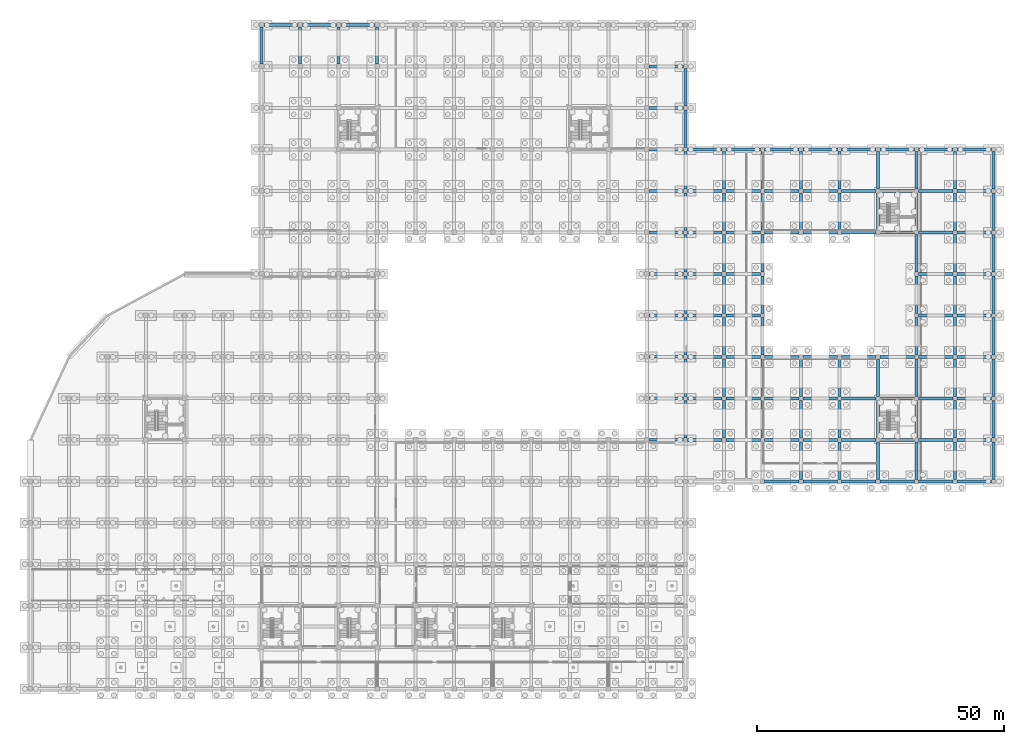
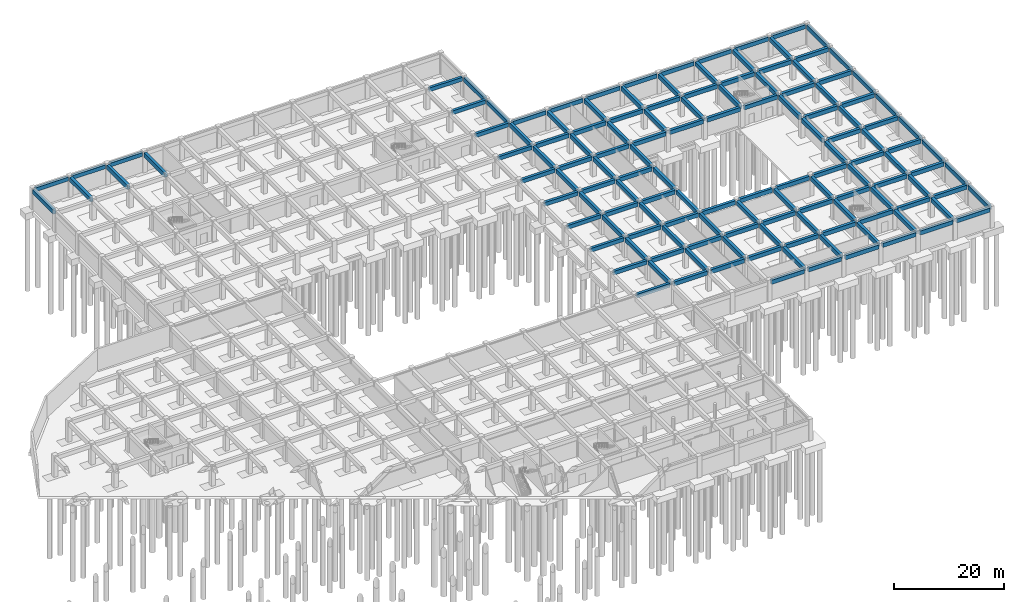
# One storey, part 15 of 31: 141 beams.
"""IFC4 building model written with IfcOpenShell, lengths in metres."""

from ifc_helpers import new_model, si_unit, direction, frame, origin, origin_2d, place, context, subcontext, project, spatial, rectangle, extrude, material, material_profile, profile_set, type_object, element, save


model = new_model("IFC4")

# Units and contexts
model_context = context("Model", 3, precision=1e-05, world=origin(), true_north=direction((0.0, 1.0)))
body_context = subcontext(model_context, "Body", "Model", "MODEL_VIEW")
ifc_project = project(units=[si_unit("LENGTHUNIT", "METRE"), si_unit("AREAUNIT", "SQUARE_METRE"), si_unit("VOLUMEUNIT", "CUBIC_METRE"), si_unit("PLANEANGLEUNIT", "RADIAN"), si_unit("MASSUNIT", "GRAM", prefix="KILO")], contexts=[model_context])

# Site, building, storey
site_placement = place(None, origin())
site = spatial("IfcSite", under=ifc_project, at=site_placement, CompositionType="ELEMENT")
building_placement = place(site_placement, origin())
building = spatial("IfcBuilding", under=site, at=building_placement, Name="Zizhar Promenade General Hospital", CompositionType="ELEMENT")
storey_placement = place(building_placement, frame((0.0, 0.0, -4.800048828125)))
storey = spatial("IfcBuildingStorey", under=building, at=storey_placement, Name="B1", CompositionType="ELEMENT", Elevation=-4.800048828125)

# Beams
ifc_material_1 = material(Name="Concrete C35/45", Category="concrete")
ifc_material_profile_1 = material_profile(ifc_material_1, rectangle(XDim=0.550048828125, YDim=0.85009765625, at=origin_2d()))
ifc_profile_set_1 = profile_set([ifc_material_profile_1], Name="Concrete C35/45")
beam_type_1 = type_object("IfcBeamType", Name="BM-RC-550x850", PredefinedType="BEAM", material=ifc_profile_set_1)
for number, where, z_axis, x_axis, name in (
    (1, (47.25, 134.39990234375, 4.045166015625), (1.0, 0.0, 0.0), (0.0, 1.0, 0.0), "Grid Beam X B1 (6-16)"),
    (2, (55.050048828125, 134.39990234375, 4.045166015625), (1.0, 0.0, 0.0), (0.0, 1.0, 0.0), "Grid Beam X B1 (7-16)"),
    (3, (62.85009765625, 134.39990234375, 4.045166015625), (1.0, 0.0, 0.0), (0.0, 1.0, 0.0), "Grid Beam X B1 (8-16)"),
):
    element("IfcBeam", number, at=place(storey_placement, frame(where, z_axis=z_axis, x_axis=x_axis)), inside=storey, type_object=beam_type_1, Name=name, PredefinedType="BEAM", context=body_context, shape_type="SweptSolid", body=[
        extrude(rectangle(XDim=0.550048828125, YDim=0.85009765625, at=origin_2d()), origin(), (0.0, 0.0, 1.0), 6.89990234375),
    ])
for number, where, z_axis, x_axis, name in (
    (4, (125.25, 50.39990234375, 4.045166015625), (1.0, 0.0, 0.0), (0.0, 1.0, 0.0), "Grid Beam X B1 (16-6)"),
    (5, (125.25, 58.800048828125, 4.045166015625), (1.0, 0.0, 0.0), (0.0, 1.0, 0.0), "Grid Beam X B1 (16-7)"),
    (6, (125.25, 67.199951171875, 4.045166015625), (1.0, 0.0, 0.0), (0.0, 1.0, 0.0), "Grid Beam X B1 (16-8)"),
    (7, (125.25, 75.60009765625, 4.045166015625), (1.0, 0.0, 0.0), (0.0, 1.0, 0.0), "Grid Beam X B1 (16-9)"),
    (8, (125.25, 84.0, 4.045166015625), (1.0, 0.0, 0.0), (0.0, 1.0, 0.0), "Grid Beam X B1 (16-10)"),
    (9, (125.25, 92.39990234375, 4.045166015625), (1.0, 0.0, 0.0), (0.0, 1.0, 0.0), "Grid Beam X B1 (16-11)"),
    (10, (125.25, 100.800048828125, 4.045166015625), (1.0, 0.0, 0.0), (0.0, 1.0, 0.0), "Grid Beam X B1 (16-12)"),
    (11, (125.25, 109.199951171875, 4.045166015625), (1.0, 0.0, 0.0), (0.0, 1.0, 0.0), "Grid Beam X B1 (16-13)"),
    (12, (125.25, 117.60009765625, 4.045166015625), (1.0, 0.0, 0.0), (0.0, 1.0, 0.0), "Grid Beam X B1 (16-14)"),
    (13, (125.25, 126.0, 4.045166015625), (1.0, 0.0, 0.0), (0.0, 1.0, 0.0), "Grid Beam X B1 (16-15)"),
):
    element("IfcBeam", number, at=place(storey_placement, frame(where, z_axis=z_axis, x_axis=x_axis)), inside=storey, type_object=beam_type_1, Name=name, PredefinedType="BEAM", context=body_context, shape_type="SweptSolid", body=[
        extrude(rectangle(XDim=0.550048828125, YDim=0.85009765625, at=origin_2d()), origin(), (0.0, 0.0, 1.0), 6.925048828125),
    ])
ifc_material_2 = material(Name="Concrete C35/45", Category="concrete")
ifc_material_profile_2 = material_profile(ifc_material_2, rectangle(XDim=0.580078125, YDim=0.89990234375, at=origin_2d()))
ifc_profile_set_2 = profile_set([ifc_material_profile_2], Name="Concrete C35/45")
beam_type_2 = type_object("IfcBeamType", Name="BM-RC-580x900", PredefinedType="BEAM", material=ifc_profile_set_2)
for number, where, z_axis, x_axis, name in (
    (14, (133.02490234375, 50.39990234375, 4.02001953125), (1.0, 0.0, 0.0), (0.0, 1.0, 0.0), "Grid Beam X B1 (17-6)"),
    (15, (133.02490234375, 58.800048828125, 4.02001953125), (1.0, 0.0, 0.0), (0.0, 1.0, 0.0), "Grid Beam X B1 (17-7)"),
    (16, (133.02490234375, 67.199951171875, 4.02001953125), (1.0, 0.0, 0.0), (0.0, 1.0, 0.0), "Grid Beam X B1 (17-8)"),
    (17, (133.02490234375, 75.60009765625, 4.02001953125), (1.0, 0.0, 0.0), (0.0, 1.0, 0.0), "Grid Beam X B1 (17-9)"),
    (18, (133.02490234375, 84.0, 4.02001953125), (1.0, 0.0, 0.0), (0.0, 1.0, 0.0), "Grid Beam X B1 (17-10)"),
    (19, (133.02490234375, 92.39990234375, 4.02001953125), (1.0, 0.0, 0.0), (0.0, 1.0, 0.0), "Grid Beam X B1 (17-11)"),
    (20, (133.02490234375, 100.800048828125, 4.02001953125), (1.0, 0.0, 0.0), (0.0, 1.0, 0.0), "Grid Beam X B1 (17-12)"),
    (21, (133.02490234375, 109.199951171875, 4.02001953125), (1.0, 0.0, 0.0), (0.0, 1.0, 0.0), "Grid Beam X B1 (17-13)"),
):
    element("IfcBeam", number, at=place(storey_placement, frame(where, z_axis=z_axis, x_axis=x_axis)), inside=storey, type_object=beam_type_2, Name=name, PredefinedType="BEAM", context=body_context, shape_type="SweptSolid", body=[
        extrude(rectangle(XDim=0.580078125, YDim=0.89990234375, at=origin_2d()), origin(), (0.0, 0.0, 1.0), 6.9501953125),
    ])
for number, where, z_axis, x_axis, name in (
    (22, (140.824951171875, 50.39990234375, 4.02001953125), (1.0, 0.0, 0.0), (0.0, 1.0, 0.0), "Grid Beam X B1 (18-6)"),
    (23, (140.824951171875, 58.800048828125, 4.02001953125), (1.0, 0.0, 0.0), (0.0, 1.0, 0.0), "Grid Beam X B1 (18-7)"),
    (24, (140.824951171875, 67.199951171875, 4.02001953125), (1.0, 0.0, 0.0), (0.0, 1.0, 0.0), "Grid Beam X B1 (18-8)"),
    (25, (140.824951171875, 75.60009765625, 4.02001953125), (1.0, 0.0, 0.0), (0.0, 1.0, 0.0), "Grid Beam X B1 (18-9)"),
    (26, (140.824951171875, 84.0, 4.02001953125), (1.0, 0.0, 0.0), (0.0, 1.0, 0.0), "Grid Beam X B1 (18-10)"),
    (27, (140.824951171875, 92.39990234375, 4.02001953125), (1.0, 0.0, 0.0), (0.0, 1.0, 0.0), "Grid Beam X B1 (18-11)"),
    (28, (140.824951171875, 100.800048828125, 4.02001953125), (1.0, 0.0, 0.0), (0.0, 1.0, 0.0), "Grid Beam X B1 (18-12)"),
    (29, (140.824951171875, 109.199951171875, 4.02001953125), (1.0, 0.0, 0.0), (0.0, 1.0, 0.0), "Grid Beam X B1 (18-13)"),
    (30, (148.625, 42.0, 4.02001953125), (1.0, 0.0, 0.0), (0.0, 1.0, 0.0), "Grid Beam X B1 (19-5)"),
    (31, (148.625, 50.39990234375, 4.02001953125), (1.0, 0.0, 0.0), (0.0, 1.0, 0.0), "Grid Beam X B1 (19-6)"),
    (32, (148.625, 58.800048828125, 4.02001953125), (1.0, 0.0, 0.0), (0.0, 1.0, 0.0), "Grid Beam X B1 (19-7)"),
    (33, (148.625, 67.199951171875, 4.02001953125), (1.0, 0.0, 0.0), (0.0, 1.0, 0.0), "Grid Beam X B1 (19-8)"),
    (34, (148.625, 92.39990234375, 4.02001953125), (1.0, 0.0, 0.0), (0.0, 1.0, 0.0), "Grid Beam X B1 (19-11)"),
    (35, (148.625, 100.800048828125, 4.02001953125), (1.0, 0.0, 0.0), (0.0, 1.0, 0.0), "Grid Beam X B1 (19-12)"),
    (36, (148.625, 109.199951171875, 4.02001953125), (1.0, 0.0, 0.0), (0.0, 1.0, 0.0), "Grid Beam X B1 (19-13)"),
    (37, (156.425048828125, 42.0, 4.02001953125), (1.0, 0.0, 0.0), (0.0, 1.0, 0.0), "Grid Beam X B1 (20-5)"),
    (38, (156.425048828125, 50.39990234375, 4.02001953125), (1.0, 0.0, 0.0), (0.0, 1.0, 0.0), "Grid Beam X B1 (20-6)"),
    (39, (156.425048828125, 58.800048828125, 4.02001953125), (1.0, 0.0, 0.0), (0.0, 1.0, 0.0), "Grid Beam X B1 (20-7)"),
    (40, (156.425048828125, 67.199951171875, 4.02001953125), (1.0, 0.0, 0.0), (0.0, 1.0, 0.0), "Grid Beam X B1 (20-8)"),
    (41, (156.425048828125, 92.39990234375, 4.02001953125), (1.0, 0.0, 0.0), (0.0, 1.0, 0.0), "Grid Beam X B1 (20-11)"),
    (42, (156.425048828125, 100.800048828125, 4.02001953125), (1.0, 0.0, 0.0), (0.0, 1.0, 0.0), "Grid Beam X B1 (20-12)"),
    (43, (156.425048828125, 109.199951171875, 4.02001953125), (1.0, 0.0, 0.0), (0.0, 1.0, 0.0), "Grid Beam X B1 (20-13)"),
    (44, (164.22509765625, 42.0, 4.02001953125), (1.0, 0.0, 0.0), (0.0, 1.0, 0.0), "Grid Beam X B1 (21-5)"),
    (45, (164.22509765625, 50.39990234375, 4.02001953125), (1.0, 0.0, 0.0), (0.0, 1.0, 0.0), "Grid Beam X B1 (21-6)"),
    (46, (164.22509765625, 58.800048828125, 4.02001953125), (1.0, 0.0, 0.0), (0.0, 1.0, 0.0), "Grid Beam X B1 (21-7)"),
    (47, (164.22509765625, 67.199951171875, 4.02001953125), (1.0, 0.0, 0.0), (0.0, 1.0, 0.0), "Grid Beam X B1 (21-8)"),
    (48, (164.22509765625, 92.39990234375, 4.02001953125), (1.0, 0.0, 0.0), (0.0, 1.0, 0.0), "Grid Beam X B1 (21-11)"),
    (49, (164.22509765625, 100.800048828125, 4.02001953125), (1.0, 0.0, 0.0), (0.0, 1.0, 0.0), "Grid Beam X B1 (21-12)"),
    (50, (164.22509765625, 109.199951171875, 4.02001953125), (1.0, 0.0, 0.0), (0.0, 1.0, 0.0), "Grid Beam X B1 (21-13)"),
):
    element("IfcBeam", number, at=place(storey_placement, frame(where, z_axis=z_axis, x_axis=x_axis)), inside=storey, type_object=beam_type_2, Name=name, PredefinedType="BEAM", context=body_context, shape_type="SweptSolid", body=[
        extrude(rectangle(XDim=0.580078125, YDim=0.89990234375, at=origin_2d()), origin(), (0.0, 0.0, 1.0), 6.949951171875),
    ])
for number, where, z_axis, x_axis, name in (
    (51, (172.02490234375, 42.0, 4.02001953125), (1.0, 0.0, 0.0), (0.0, 1.0, 0.0), "Grid Beam X B1 (22-5)"),
    (52, (172.02490234375, 50.39990234375, 4.02001953125), (1.0, 0.0, 0.0), (0.0, 1.0, 0.0), "Grid Beam X B1 (22-6)"),
    (53, (172.02490234375, 58.800048828125, 4.02001953125), (1.0, 0.0, 0.0), (0.0, 1.0, 0.0), "Grid Beam X B1 (22-7)"),
    (54, (172.02490234375, 67.199951171875, 4.02001953125), (1.0, 0.0, 0.0), (0.0, 1.0, 0.0), "Grid Beam X B1 (22-8)"),
    (55, (172.02490234375, 92.39990234375, 4.02001953125), (1.0, 0.0, 0.0), (0.0, 1.0, 0.0), "Grid Beam X B1 (22-11)"),
    (56, (172.02490234375, 100.800048828125, 4.02001953125), (1.0, 0.0, 0.0), (0.0, 1.0, 0.0), "Grid Beam X B1 (22-12)"),
    (57, (172.02490234375, 109.199951171875, 4.02001953125), (1.0, 0.0, 0.0), (0.0, 1.0, 0.0), "Grid Beam X B1 (22-13)"),
):
    element("IfcBeam", number, at=place(storey_placement, frame(where, z_axis=z_axis, x_axis=x_axis)), inside=storey, type_object=beam_type_2, Name=name, PredefinedType="BEAM", context=body_context, shape_type="SweptSolid", body=[
        extrude(rectangle(XDim=0.580078125, YDim=0.89990234375, at=origin_2d()), origin(), (0.0, 0.0, 1.0), 6.9501953125),
    ])
for number, where, z_axis, x_axis, name in (
    (58, (179.824951171875, 42.0, 4.02001953125), (1.0, 0.0, 0.0), (0.0, 1.0, 0.0), "Grid Beam X B1 (23-5)"),
    (59, (179.824951171875, 50.39990234375, 4.02001953125), (1.0, 0.0, 0.0), (0.0, 1.0, 0.0), "Grid Beam X B1 (23-6)"),
    (60, (179.824951171875, 58.800048828125, 4.02001953125), (1.0, 0.0, 0.0), (0.0, 1.0, 0.0), "Grid Beam X B1 (23-7)"),
    (61, (179.824951171875, 67.199951171875, 4.02001953125), (1.0, 0.0, 0.0), (0.0, 1.0, 0.0), "Grid Beam X B1 (23-8)"),
    (62, (179.824951171875, 75.60009765625, 4.02001953125), (1.0, 0.0, 0.0), (0.0, 1.0, 0.0), "Grid Beam X B1 (23-9)"),
    (63, (179.824951171875, 84.0, 4.02001953125), (1.0, 0.0, 0.0), (0.0, 1.0, 0.0), "Grid Beam X B1 (23-10)"),
    (64, (179.824951171875, 92.39990234375, 4.02001953125), (1.0, 0.0, 0.0), (0.0, 1.0, 0.0), "Grid Beam X B1 (23-11)"),
    (65, (179.824951171875, 100.800048828125, 4.02001953125), (1.0, 0.0, 0.0), (0.0, 1.0, 0.0), "Grid Beam X B1 (23-12)"),
    (66, (179.824951171875, 109.199951171875, 4.02001953125), (1.0, 0.0, 0.0), (0.0, 1.0, 0.0), "Grid Beam X B1 (23-13)"),
    (67, (187.625, 42.0, 4.02001953125), (1.0, 0.0, 0.0), (0.0, 1.0, 0.0), "Grid Beam X B1 (24-5)"),
    (68, (187.625, 50.39990234375, 4.02001953125), (1.0, 0.0, 0.0), (0.0, 1.0, 0.0), "Grid Beam X B1 (24-6)"),
    (69, (187.625, 58.800048828125, 4.02001953125), (1.0, 0.0, 0.0), (0.0, 1.0, 0.0), "Grid Beam X B1 (24-7)"),
    (70, (187.625, 67.199951171875, 4.02001953125), (1.0, 0.0, 0.0), (0.0, 1.0, 0.0), "Grid Beam X B1 (24-8)"),
    (71, (187.625, 75.60009765625, 4.02001953125), (1.0, 0.0, 0.0), (0.0, 1.0, 0.0), "Grid Beam X B1 (24-9)"),
    (72, (187.625, 84.0, 4.02001953125), (1.0, 0.0, 0.0), (0.0, 1.0, 0.0), "Grid Beam X B1 (24-10)"),
    (73, (187.625, 92.39990234375, 4.02001953125), (1.0, 0.0, 0.0), (0.0, 1.0, 0.0), "Grid Beam X B1 (24-11)"),
    (74, (187.625, 100.800048828125, 4.02001953125), (1.0, 0.0, 0.0), (0.0, 1.0, 0.0), "Grid Beam X B1 (24-12)"),
    (75, (187.625, 109.199951171875, 4.02001953125), (1.0, 0.0, 0.0), (0.0, 1.0, 0.0), "Grid Beam X B1 (24-13)"),
):
    element("IfcBeam", number, at=place(storey_placement, frame(where, z_axis=z_axis, x_axis=x_axis)), inside=storey, type_object=beam_type_2, Name=name, PredefinedType="BEAM", context=body_context, shape_type="SweptSolid", body=[
        extrude(rectangle(XDim=0.580078125, YDim=0.89990234375, at=origin_2d()), origin(), (0.0, 0.0, 1.0), 6.949951171875),
    ])
ifc_material_3 = material(Name="Concrete C35/45", Category="concrete")
ifc_material_profile_3 = material_profile(ifc_material_3, rectangle(XDim=0.60009765625, YDim=0.949951171875, at=origin_2d()))
ifc_profile_set_3 = profile_set([ifc_material_profile_3], Name="Concrete C35/45")
beam_type_3 = type_object("IfcBeamType", Name="BM-RC-600x950", PredefinedType="BEAM", material=ifc_profile_set_3)
for number, where, z_axis, x_axis, name in (
    (76, (46.800048828125, 126.449951171875, 3.9951171875), (0.0, 1.0, 0.0), (-1.0, 0.0, 0.0), "Grid Beam Y B1 (6-15)"),
    (77, (54.60009765625, 126.449951171875, 3.9951171875), (0.0, 1.0, 0.0), (-1.0, 0.0, 0.0), "Grid Beam Y B1 (7-15)"),
    (78, (62.39990234375, 126.449951171875, 3.9951171875), (0.0, 1.0, 0.0), (-1.0, 0.0, 0.0), "Grid Beam Y B1 (8-15)"),
    (79, (70.199951171875, 126.449951171875, 3.9951171875), (0.0, 1.0, 0.0), (-1.0, 0.0, 0.0), "Grid Beam Y B1 (9-15)"),
):
    element("IfcBeam", number, at=place(storey_placement, frame(where, z_axis=z_axis, x_axis=x_axis)), inside=storey, type_object=beam_type_3, Name=name, PredefinedType="BEAM", context=body_context, shape_type="SweptSolid", body=[
        extrude(rectangle(XDim=0.60009765625, YDim=0.949951171875, at=origin_2d()), origin(), (0.0, 0.0, 1.0), 7.5),
    ])
beam_1_placement = place(storey_placement, frame((132.60009765625, 50.824951171875, 3.9951171875), z_axis=(0.0, 1.0, 0.0), x_axis=(-1.0, 0.0, 0.0)))
element("IfcBeam", 80, at=beam_1_placement, inside=storey, type_object=beam_type_3, Name="Grid Beam Y B1 (17-6)", PredefinedType="BEAM", context=body_context, shape_type="SweptSolid", body=[
    extrude(rectangle(XDim=0.60009765625, YDim=0.949951171875, at=origin_2d()), origin(), (0.0, 0.0, 1.0), 7.550048828125),
])
beam_2_placement = place(storey_placement, frame((132.60009765625, 59.22509765625, 3.9951171875), z_axis=(0.0, 1.0, 0.0), x_axis=(-1.0, 0.0, 0.0)))
element("IfcBeam", 81, at=beam_2_placement, inside=storey, type_object=beam_type_3, Name="Grid Beam Y B1 (17-7)", PredefinedType="BEAM", context=body_context, shape_type="SweptSolid", body=[
    extrude(rectangle(XDim=0.60009765625, YDim=0.949951171875, at=origin_2d()), origin(), (0.0, 0.0, 1.0), 7.5498046875),
])
for number, where, z_axis, x_axis, name in (
    (82, (132.60009765625, 67.625, 3.9951171875), (0.0, 1.0, 0.0), (-1.0, 0.0, 0.0), "Grid Beam Y B1 (17-8)"),
    (83, (132.60009765625, 76.02490234375, 3.9951171875), (0.0, 1.0, 0.0), (-1.0, 0.0, 0.0), "Grid Beam Y B1 (17-9)"),
    (84, (132.60009765625, 84.425048828125, 3.9951171875), (0.0, 1.0, 0.0), (-1.0, 0.0, 0.0), "Grid Beam Y B1 (17-10)"),
    (85, (132.60009765625, 92.824951171875, 3.9951171875), (0.0, 1.0, 0.0), (-1.0, 0.0, 0.0), "Grid Beam Y B1 (17-11)"),
):
    element("IfcBeam", number, at=place(storey_placement, frame(where, z_axis=z_axis, x_axis=x_axis)), inside=storey, type_object=beam_type_3, Name=name, PredefinedType="BEAM", context=body_context, shape_type="SweptSolid", body=[
        extrude(rectangle(XDim=0.60009765625, YDim=0.949951171875, at=origin_2d()), origin(), (0.0, 0.0, 1.0), 7.550048828125),
    ])
beam_3_placement = place(storey_placement, frame((132.60009765625, 101.22509765625, 3.9951171875), z_axis=(0.0, 1.0, 0.0), x_axis=(-1.0, 0.0, 0.0)))
element("IfcBeam", 86, at=beam_3_placement, inside=storey, type_object=beam_type_3, Name="Grid Beam Y B1 (17-12)", PredefinedType="BEAM", context=body_context, shape_type="SweptSolid", body=[
    extrude(rectangle(XDim=0.60009765625, YDim=0.949951171875, at=origin_2d()), origin(), (0.0, 0.0, 1.0), 7.5498046875),
])
for number, where, z_axis, x_axis, name in (
    (87, (132.60009765625, 109.625, 3.9951171875), (0.0, 1.0, 0.0), (-1.0, 0.0, 0.0), "Grid Beam Y B1 (17-13)"),
    (88, (132.60009765625, 118.02490234375, 3.9951171875), (0.0, 1.0, 0.0), (-1.0, 0.0, 0.0), "Grid Beam Y B1 (17-14)"),
    (89, (140.39990234375, 50.824951171875, 3.9951171875), (0.0, 1.0, 0.0), (-1.0, 0.0, 0.0), "Grid Beam Y B1 (18-6)"),
):
    element("IfcBeam", number, at=place(storey_placement, frame(where, z_axis=z_axis, x_axis=x_axis)), inside=storey, type_object=beam_type_3, Name=name, PredefinedType="BEAM", context=body_context, shape_type="SweptSolid", body=[
        extrude(rectangle(XDim=0.60009765625, YDim=0.949951171875, at=origin_2d()), origin(), (0.0, 0.0, 1.0), 7.550048828125),
    ])
beam_4_placement = place(storey_placement, frame((140.39990234375, 59.22509765625, 3.9951171875), z_axis=(0.0, 1.0, 0.0), x_axis=(-1.0, 0.0, 0.0)))
element("IfcBeam", 90, at=beam_4_placement, inside=storey, type_object=beam_type_3, Name="Grid Beam Y B1 (18-7)", PredefinedType="BEAM", context=body_context, shape_type="SweptSolid", body=[
    extrude(rectangle(XDim=0.60009765625, YDim=0.949951171875, at=origin_2d()), origin(), (0.0, 0.0, 1.0), 7.5498046875),
])
for number, where, z_axis, x_axis, name in (
    (91, (140.39990234375, 67.625, 3.9951171875), (0.0, 1.0, 0.0), (-1.0, 0.0, 0.0), "Grid Beam Y B1 (18-8)"),
    (92, (140.39990234375, 76.02490234375, 3.9951171875), (0.0, 1.0, 0.0), (-1.0, 0.0, 0.0), "Grid Beam Y B1 (18-9)"),
    (93, (140.39990234375, 84.425048828125, 3.9951171875), (0.0, 1.0, 0.0), (-1.0, 0.0, 0.0), "Grid Beam Y B1 (18-10)"),
    (94, (140.39990234375, 92.824951171875, 3.9951171875), (0.0, 1.0, 0.0), (-1.0, 0.0, 0.0), "Grid Beam Y B1 (18-11)"),
):
    element("IfcBeam", number, at=place(storey_placement, frame(where, z_axis=z_axis, x_axis=x_axis)), inside=storey, type_object=beam_type_3, Name=name, PredefinedType="BEAM", context=body_context, shape_type="SweptSolid", body=[
        extrude(rectangle(XDim=0.60009765625, YDim=0.949951171875, at=origin_2d()), origin(), (0.0, 0.0, 1.0), 7.550048828125),
    ])
beam_5_placement = place(storey_placement, frame((140.39990234375, 101.22509765625, 3.9951171875), z_axis=(0.0, 1.0, 0.0), x_axis=(-1.0, 0.0, 0.0)))
element("IfcBeam", 95, at=beam_5_placement, inside=storey, type_object=beam_type_3, Name="Grid Beam Y B1 (18-12)", PredefinedType="BEAM", context=body_context, shape_type="SweptSolid", body=[
    extrude(rectangle(XDim=0.60009765625, YDim=0.949951171875, at=origin_2d()), origin(), (0.0, 0.0, 1.0), 7.5498046875),
])
beam_6_placement = place(storey_placement, frame((148.199951171875, 50.824951171875, 3.9951171875), z_axis=(0.0, 1.0, 0.0), x_axis=(-1.0, 0.0, 0.0)))
element("IfcBeam", 96, at=beam_6_placement, inside=storey, type_object=beam_type_3, Name="Grid Beam Y B1 (19-6)", PredefinedType="BEAM", context=body_context, shape_type="SweptSolid", body=[
    extrude(rectangle(XDim=0.60009765625, YDim=0.949951171875, at=origin_2d()), origin(), (0.0, 0.0, 1.0), 7.550048828125),
])
beam_7_placement = place(storey_placement, frame((148.199951171875, 59.22509765625, 3.9951171875), z_axis=(0.0, 1.0, 0.0), x_axis=(-1.0, 0.0, 0.0)))
element("IfcBeam", 97, at=beam_7_placement, inside=storey, type_object=beam_type_3, Name="Grid Beam Y B1 (19-7)", PredefinedType="BEAM", context=body_context, shape_type="SweptSolid", body=[
    extrude(rectangle(XDim=0.60009765625, YDim=0.949951171875, at=origin_2d()), origin(), (0.0, 0.0, 1.0), 7.5498046875),
])
for number, where, z_axis, x_axis, name in (
    (98, (148.199951171875, 67.625, 3.9951171875), (0.0, 1.0, 0.0), (-1.0, 0.0, 0.0), "Grid Beam Y B1 (19-8)"),
    (99, (148.199951171875, 76.02490234375, 3.9951171875), (0.0, 1.0, 0.0), (-1.0, 0.0, 0.0), "Grid Beam Y B1 (19-9)"),
    (100, (148.199951171875, 84.425048828125, 3.9951171875), (0.0, 1.0, 0.0), (-1.0, 0.0, 0.0), "Grid Beam Y B1 (19-10)"),
    (101, (148.199951171875, 92.824951171875, 3.9951171875), (0.0, 1.0, 0.0), (-1.0, 0.0, 0.0), "Grid Beam Y B1 (19-11)"),
):
    element("IfcBeam", number, at=place(storey_placement, frame(where, z_axis=z_axis, x_axis=x_axis)), inside=storey, type_object=beam_type_3, Name=name, PredefinedType="BEAM", context=body_context, shape_type="SweptSolid", body=[
        extrude(rectangle(XDim=0.60009765625, YDim=0.949951171875, at=origin_2d()), origin(), (0.0, 0.0, 1.0), 7.550048828125),
    ])
beam_8_placement = place(storey_placement, frame((148.199951171875, 101.22509765625, 3.9951171875), z_axis=(0.0, 1.0, 0.0), x_axis=(-1.0, 0.0, 0.0)))
element("IfcBeam", 102, at=beam_8_placement, inside=storey, type_object=beam_type_3, Name="Grid Beam Y B1 (19-12)", PredefinedType="BEAM", context=body_context, shape_type="SweptSolid", body=[
    extrude(rectangle(XDim=0.60009765625, YDim=0.949951171875, at=origin_2d()), origin(), (0.0, 0.0, 1.0), 7.5498046875),
])
for number, where, z_axis, x_axis, name in (
    (103, (156.0, 42.425048828125, 3.9951171875), (0.0, 1.0, 0.0), (-1.0, 0.0, 0.0), "Grid Beam Y B1 (20-5)"),
    (104, (156.0, 50.824951171875, 3.9951171875), (0.0, 1.0, 0.0), (-1.0, 0.0, 0.0), "Grid Beam Y B1 (20-6)"),
):
    element("IfcBeam", number, at=place(storey_placement, frame(where, z_axis=z_axis, x_axis=x_axis)), inside=storey, type_object=beam_type_3, Name=name, PredefinedType="BEAM", context=body_context, shape_type="SweptSolid", body=[
        extrude(rectangle(XDim=0.60009765625, YDim=0.949951171875, at=origin_2d()), origin(), (0.0, 0.0, 1.0), 7.550048828125),
    ])
beam_9_placement = place(storey_placement, frame((156.0, 59.22509765625, 3.9951171875), z_axis=(0.0, 1.0, 0.0), x_axis=(-1.0, 0.0, 0.0)))
element("IfcBeam", 105, at=beam_9_placement, inside=storey, type_object=beam_type_3, Name="Grid Beam Y B1 (20-7)", PredefinedType="BEAM", context=body_context, shape_type="SweptSolid", body=[
    extrude(rectangle(XDim=0.60009765625, YDim=0.949951171875, at=origin_2d()), origin(), (0.0, 0.0, 1.0), 7.5498046875),
])
beam_10_placement = place(storey_placement, frame((156.0, 92.824951171875, 3.9951171875), z_axis=(0.0, 1.0, 0.0), x_axis=(-1.0, 0.0, 0.0)))
element("IfcBeam", 106, at=beam_10_placement, inside=storey, type_object=beam_type_3, Name="Grid Beam Y B1 (20-11)", PredefinedType="BEAM", context=body_context, shape_type="SweptSolid", body=[
    extrude(rectangle(XDim=0.60009765625, YDim=0.949951171875, at=origin_2d()), origin(), (0.0, 0.0, 1.0), 7.550048828125),
])
beam_11_placement = place(storey_placement, frame((156.0, 101.22509765625, 3.9951171875), z_axis=(0.0, 1.0, 0.0), x_axis=(-1.0, 0.0, 0.0)))
element("IfcBeam", 107, at=beam_11_placement, inside=storey, type_object=beam_type_3, Name="Grid Beam Y B1 (20-12)", PredefinedType="BEAM", context=body_context, shape_type="SweptSolid", body=[
    extrude(rectangle(XDim=0.60009765625, YDim=0.949951171875, at=origin_2d()), origin(), (0.0, 0.0, 1.0), 7.5498046875),
])
for number, where, z_axis, x_axis, name in (
    (108, (163.800048828125, 42.425048828125, 3.9951171875), (0.0, 1.0, 0.0), (-1.0, 0.0, 0.0), "Grid Beam Y B1 (21-5)"),
    (109, (163.800048828125, 50.824951171875, 3.9951171875), (0.0, 1.0, 0.0), (-1.0, 0.0, 0.0), "Grid Beam Y B1 (21-6)"),
):
    element("IfcBeam", number, at=place(storey_placement, frame(where, z_axis=z_axis, x_axis=x_axis)), inside=storey, type_object=beam_type_3, Name=name, PredefinedType="BEAM", context=body_context, shape_type="SweptSolid", body=[
        extrude(rectangle(XDim=0.60009765625, YDim=0.949951171875, at=origin_2d()), origin(), (0.0, 0.0, 1.0), 7.550048828125),
    ])
beam_12_placement = place(storey_placement, frame((163.800048828125, 59.22509765625, 3.9951171875), z_axis=(0.0, 1.0, 0.0), x_axis=(-1.0, 0.0, 0.0)))
element("IfcBeam", 110, at=beam_12_placement, inside=storey, type_object=beam_type_3, Name="Grid Beam Y B1 (21-7)", PredefinedType="BEAM", context=body_context, shape_type="SweptSolid", body=[
    extrude(rectangle(XDim=0.60009765625, YDim=0.949951171875, at=origin_2d()), origin(), (0.0, 0.0, 1.0), 7.5498046875),
])
beam_13_placement = place(storey_placement, frame((163.800048828125, 92.824951171875, 3.9951171875), z_axis=(0.0, 1.0, 0.0), x_axis=(-1.0, 0.0, 0.0)))
element("IfcBeam", 111, at=beam_13_placement, inside=storey, type_object=beam_type_3, Name="Grid Beam Y B1 (21-11)", PredefinedType="BEAM", context=body_context, shape_type="SweptSolid", body=[
    extrude(rectangle(XDim=0.60009765625, YDim=0.949951171875, at=origin_2d()), origin(), (0.0, 0.0, 1.0), 7.550048828125),
])
beam_14_placement = place(storey_placement, frame((163.800048828125, 101.22509765625, 3.9951171875), z_axis=(0.0, 1.0, 0.0), x_axis=(-1.0, 0.0, 0.0)))
element("IfcBeam", 112, at=beam_14_placement, inside=storey, type_object=beam_type_3, Name="Grid Beam Y B1 (21-12)", PredefinedType="BEAM", context=body_context, shape_type="SweptSolid", body=[
    extrude(rectangle(XDim=0.60009765625, YDim=0.949951171875, at=origin_2d()), origin(), (0.0, 0.0, 1.0), 7.5498046875),
])
for number, where, z_axis, x_axis, name in (
    (113, (171.60009765625, 42.425048828125, 3.9951171875), (0.0, 1.0, 0.0), (-1.0, 0.0, 0.0), "Grid Beam Y B1 (22-5)"),
    (114, (171.60009765625, 50.824951171875, 3.9951171875), (0.0, 1.0, 0.0), (-1.0, 0.0, 0.0), "Grid Beam Y B1 (22-6)"),
):
    element("IfcBeam", number, at=place(storey_placement, frame(where, z_axis=z_axis, x_axis=x_axis)), inside=storey, type_object=beam_type_3, Name=name, PredefinedType="BEAM", context=body_context, shape_type="SweptSolid", body=[
        extrude(rectangle(XDim=0.60009765625, YDim=0.949951171875, at=origin_2d()), origin(), (0.0, 0.0, 1.0), 7.550048828125),
    ])
beam_15_placement = place(storey_placement, frame((171.60009765625, 59.22509765625, 3.9951171875), z_axis=(0.0, 1.0, 0.0), x_axis=(-1.0, 0.0, 0.0)))
element("IfcBeam", 115, at=beam_15_placement, inside=storey, type_object=beam_type_3, Name="Grid Beam Y B1 (22-7)", PredefinedType="BEAM", context=body_context, shape_type="SweptSolid", body=[
    extrude(rectangle(XDim=0.60009765625, YDim=0.949951171875, at=origin_2d()), origin(), (0.0, 0.0, 1.0), 7.5498046875),
])
beam_16_placement = place(storey_placement, frame((171.60009765625, 92.824951171875, 3.9951171875), z_axis=(0.0, 1.0, 0.0), x_axis=(-1.0, 0.0, 0.0)))
element("IfcBeam", 116, at=beam_16_placement, inside=storey, type_object=beam_type_3, Name="Grid Beam Y B1 (22-11)", PredefinedType="BEAM", context=body_context, shape_type="SweptSolid", body=[
    extrude(rectangle(XDim=0.60009765625, YDim=0.949951171875, at=origin_2d()), origin(), (0.0, 0.0, 1.0), 7.550048828125),
])
beam_17_placement = place(storey_placement, frame((171.60009765625, 101.22509765625, 3.9951171875), z_axis=(0.0, 1.0, 0.0), x_axis=(-1.0, 0.0, 0.0)))
element("IfcBeam", 117, at=beam_17_placement, inside=storey, type_object=beam_type_3, Name="Grid Beam Y B1 (22-12)", PredefinedType="BEAM", context=body_context, shape_type="SweptSolid", body=[
    extrude(rectangle(XDim=0.60009765625, YDim=0.949951171875, at=origin_2d()), origin(), (0.0, 0.0, 1.0), 7.5498046875),
])
for number, where, z_axis, x_axis, name in (
    (118, (179.39990234375, 42.425048828125, 3.9951171875), (0.0, 1.0, 0.0), (-1.0, 0.0, 0.0), "Grid Beam Y B1 (23-5)"),
    (119, (179.39990234375, 50.824951171875, 3.9951171875), (0.0, 1.0, 0.0), (-1.0, 0.0, 0.0), "Grid Beam Y B1 (23-6)"),
):
    element("IfcBeam", number, at=place(storey_placement, frame(where, z_axis=z_axis, x_axis=x_axis)), inside=storey, type_object=beam_type_3, Name=name, PredefinedType="BEAM", context=body_context, shape_type="SweptSolid", body=[
        extrude(rectangle(XDim=0.60009765625, YDim=0.949951171875, at=origin_2d()), origin(), (0.0, 0.0, 1.0), 7.550048828125),
    ])
beam_18_placement = place(storey_placement, frame((179.39990234375, 59.22509765625, 3.9951171875), z_axis=(0.0, 1.0, 0.0), x_axis=(-1.0, 0.0, 0.0)))
element("IfcBeam", 120, at=beam_18_placement, inside=storey, type_object=beam_type_3, Name="Grid Beam Y B1 (23-7)", PredefinedType="BEAM", context=body_context, shape_type="SweptSolid", body=[
    extrude(rectangle(XDim=0.60009765625, YDim=0.949951171875, at=origin_2d()), origin(), (0.0, 0.0, 1.0), 7.5498046875),
])
for number, where, z_axis, x_axis, name in (
    (121, (179.39990234375, 67.625, 3.9951171875), (0.0, 1.0, 0.0), (-1.0, 0.0, 0.0), "Grid Beam Y B1 (23-8)"),
    (122, (179.39990234375, 76.02490234375, 3.9951171875), (0.0, 1.0, 0.0), (-1.0, 0.0, 0.0), "Grid Beam Y B1 (23-9)"),
    (123, (179.39990234375, 84.425048828125, 3.9951171875), (0.0, 1.0, 0.0), (-1.0, 0.0, 0.0), "Grid Beam Y B1 (23-10)"),
    (124, (179.39990234375, 92.824951171875, 3.9951171875), (0.0, 1.0, 0.0), (-1.0, 0.0, 0.0), "Grid Beam Y B1 (23-11)"),
):
    element("IfcBeam", number, at=place(storey_placement, frame(where, z_axis=z_axis, x_axis=x_axis)), inside=storey, type_object=beam_type_3, Name=name, PredefinedType="BEAM", context=body_context, shape_type="SweptSolid", body=[
        extrude(rectangle(XDim=0.60009765625, YDim=0.949951171875, at=origin_2d()), origin(), (0.0, 0.0, 1.0), 7.550048828125),
    ])
beam_19_placement = place(storey_placement, frame((179.39990234375, 101.22509765625, 3.9951171875), z_axis=(0.0, 1.0, 0.0), x_axis=(-1.0, 0.0, 0.0)))
element("IfcBeam", 125, at=beam_19_placement, inside=storey, type_object=beam_type_3, Name="Grid Beam Y B1 (23-12)", PredefinedType="BEAM", context=body_context, shape_type="SweptSolid", body=[
    extrude(rectangle(XDim=0.60009765625, YDim=0.949951171875, at=origin_2d()), origin(), (0.0, 0.0, 1.0), 7.5498046875),
])
for number, where, z_axis, x_axis, name in (
    (126, (187.199951171875, 42.425048828125, 3.9951171875), (0.0, 1.0, 0.0), (-1.0, 0.0, 0.0), "Grid Beam Y B1 (24-5)"),
    (127, (187.199951171875, 50.824951171875, 3.9951171875), (0.0, 1.0, 0.0), (-1.0, 0.0, 0.0), "Grid Beam Y B1 (24-6)"),
):
    element("IfcBeam", number, at=place(storey_placement, frame(where, z_axis=z_axis, x_axis=x_axis)), inside=storey, type_object=beam_type_3, Name=name, PredefinedType="BEAM", context=body_context, shape_type="SweptSolid", body=[
        extrude(rectangle(XDim=0.60009765625, YDim=0.949951171875, at=origin_2d()), origin(), (0.0, 0.0, 1.0), 7.550048828125),
    ])
beam_20_placement = place(storey_placement, frame((187.199951171875, 59.22509765625, 3.9951171875), z_axis=(0.0, 1.0, 0.0), x_axis=(-1.0, 0.0, 0.0)))
element("IfcBeam", 128, at=beam_20_placement, inside=storey, type_object=beam_type_3, Name="Grid Beam Y B1 (24-7)", PredefinedType="BEAM", context=body_context, shape_type="SweptSolid", body=[
    extrude(rectangle(XDim=0.60009765625, YDim=0.949951171875, at=origin_2d()), origin(), (0.0, 0.0, 1.0), 7.5498046875),
])
for number, where, z_axis, x_axis, name in (
    (129, (187.199951171875, 67.625, 3.9951171875), (0.0, 1.0, 0.0), (-1.0, 0.0, 0.0), "Grid Beam Y B1 (24-8)"),
    (130, (187.199951171875, 76.02490234375, 3.9951171875), (0.0, 1.0, 0.0), (-1.0, 0.0, 0.0), "Grid Beam Y B1 (24-9)"),
    (131, (187.199951171875, 84.425048828125, 3.9951171875), (0.0, 1.0, 0.0), (-1.0, 0.0, 0.0), "Grid Beam Y B1 (24-10)"),
    (132, (187.199951171875, 92.824951171875, 3.9951171875), (0.0, 1.0, 0.0), (-1.0, 0.0, 0.0), "Grid Beam Y B1 (24-11)"),
):
    element("IfcBeam", number, at=place(storey_placement, frame(where, z_axis=z_axis, x_axis=x_axis)), inside=storey, type_object=beam_type_3, Name=name, PredefinedType="BEAM", context=body_context, shape_type="SweptSolid", body=[
        extrude(rectangle(XDim=0.60009765625, YDim=0.949951171875, at=origin_2d()), origin(), (0.0, 0.0, 1.0), 7.550048828125),
    ])
beam_21_placement = place(storey_placement, frame((187.199951171875, 101.22509765625, 3.9951171875), z_axis=(0.0, 1.0, 0.0), x_axis=(-1.0, 0.0, 0.0)))
element("IfcBeam", 133, at=beam_21_placement, inside=storey, type_object=beam_type_3, Name="Grid Beam Y B1 (24-12)", PredefinedType="BEAM", context=body_context, shape_type="SweptSolid", body=[
    extrude(rectangle(XDim=0.60009765625, YDim=0.949951171875, at=origin_2d()), origin(), (0.0, 0.0, 1.0), 7.5498046875),
])
for number, where, z_axis, x_axis, name in (
    (134, (195.0, 42.425048828125, 3.9951171875), (0.0, 1.0, 0.0), (-1.0, 0.0, 0.0), "Grid Beam Y B1 (25-5)"),
    (135, (195.0, 50.824951171875, 3.9951171875), (0.0, 1.0, 0.0), (-1.0, 0.0, 0.0), "Grid Beam Y B1 (25-6)"),
):
    element("IfcBeam", number, at=place(storey_placement, frame(where, z_axis=z_axis, x_axis=x_axis)), inside=storey, type_object=beam_type_3, Name=name, PredefinedType="BEAM", context=body_context, shape_type="SweptSolid", body=[
        extrude(rectangle(XDim=0.60009765625, YDim=0.949951171875, at=origin_2d()), origin(), (0.0, 0.0, 1.0), 7.550048828125),
    ])
beam_22_placement = place(storey_placement, frame((195.0, 59.22509765625, 3.9951171875), z_axis=(0.0, 1.0, 0.0), x_axis=(-1.0, 0.0, 0.0)))
element("IfcBeam", 136, at=beam_22_placement, inside=storey, type_object=beam_type_3, Name="Grid Beam Y B1 (25-7)", PredefinedType="BEAM", context=body_context, shape_type="SweptSolid", body=[
    extrude(rectangle(XDim=0.60009765625, YDim=0.949951171875, at=origin_2d()), origin(), (0.0, 0.0, 1.0), 7.5498046875),
])
for number, where, z_axis, x_axis, name in (
    (137, (195.0, 67.625, 3.9951171875), (0.0, 1.0, 0.0), (-1.0, 0.0, 0.0), "Grid Beam Y B1 (25-8)"),
    (138, (195.0, 76.02490234375, 3.9951171875), (0.0, 1.0, 0.0), (-1.0, 0.0, 0.0), "Grid Beam Y B1 (25-9)"),
    (139, (195.0, 84.425048828125, 3.9951171875), (0.0, 1.0, 0.0), (-1.0, 0.0, 0.0), "Grid Beam Y B1 (25-10)"),
    (140, (195.0, 92.824951171875, 3.9951171875), (0.0, 1.0, 0.0), (-1.0, 0.0, 0.0), "Grid Beam Y B1 (25-11)"),
):
    element("IfcBeam", number, at=place(storey_placement, frame(where, z_axis=z_axis, x_axis=x_axis)), inside=storey, type_object=beam_type_3, Name=name, PredefinedType="BEAM", context=body_context, shape_type="SweptSolid", body=[
        extrude(rectangle(XDim=0.60009765625, YDim=0.949951171875, at=origin_2d()), origin(), (0.0, 0.0, 1.0), 7.550048828125),
    ])
beam_23_placement = place(storey_placement, frame((195.0, 101.22509765625, 3.9951171875), z_axis=(0.0, 1.0, 0.0), x_axis=(-1.0, 0.0, 0.0)))
element("IfcBeam", 141, at=beam_23_placement, inside=storey, type_object=beam_type_3, Name="Grid Beam Y B1 (25-12)", PredefinedType="BEAM", context=body_context, shape_type="SweptSolid", body=[
    extrude(rectangle(XDim=0.60009765625, YDim=0.949951171875, at=origin_2d()), origin(), (0.0, 0.0, 1.0), 7.5498046875),
])

save(model, "model.ifc")
